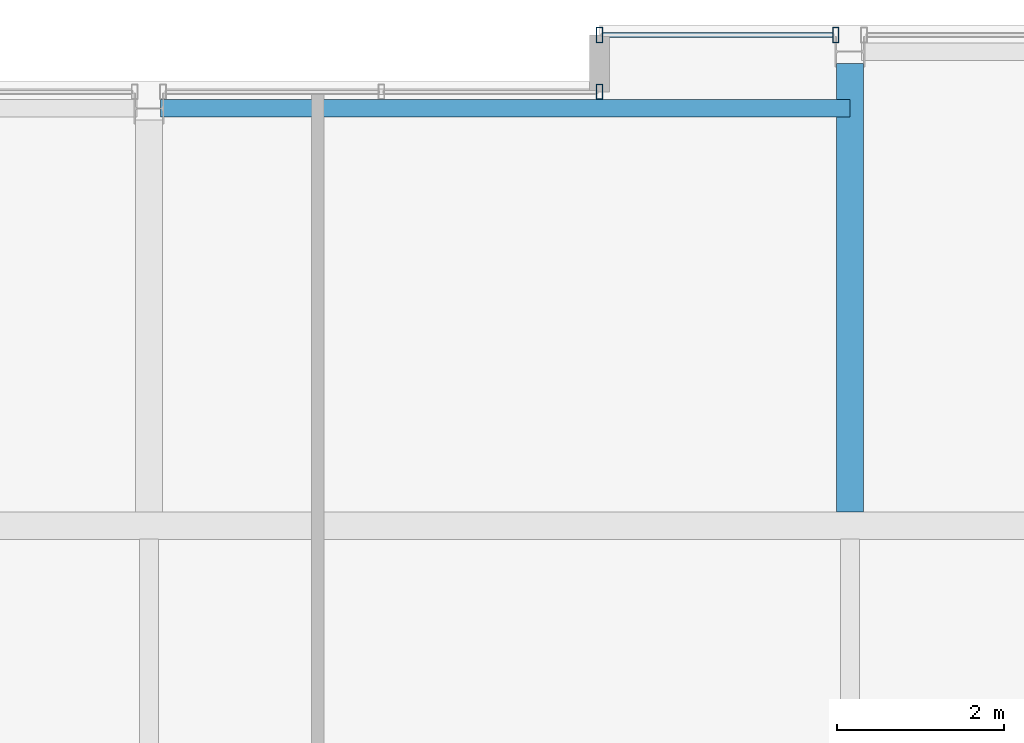
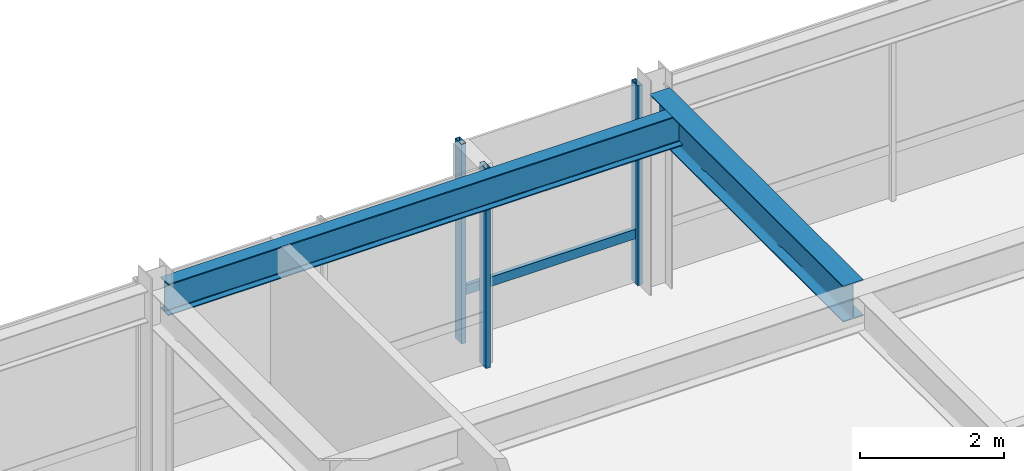
# One storey, part 24 of 33: 4 members, 2 beams, 2 elements without a shape of their own.
"""IFC4 building model written with IfcOpenShell, lengths in metres."""

from ifc_helpers import new_model, si_unit, direction, frame, origin, origin_2d, place, context, subcontext, project, spatial, hollow_rectangle, i_section, extrude, material, layer, layer_set, material_profile, profile_set, type_object, element, aggregate, save


model = new_model("IFC4")

# Units and contexts
model_context = context("Model", 3, precision=1e-05, world=origin(), true_north=direction((0.0, 1.0)))
body_context = subcontext(model_context, "Body", "Model", "MODEL_VIEW")
ifc_project = project(units=[si_unit("LENGTHUNIT", "METRE"), si_unit("AREAUNIT", "SQUARE_METRE"), si_unit("VOLUMEUNIT", "CUBIC_METRE"), si_unit("PLANEANGLEUNIT", "RADIAN"), si_unit("MASSUNIT", "GRAM", prefix="KILO")], contexts=[model_context])

# Site, building, storey
site_placement = place(None, origin())
site = spatial("IfcSite", under=ifc_project, at=site_placement, CompositionType="ELEMENT")
building_placement = place(site_placement, origin())
building = spatial("IfcBuilding", under=site, at=building_placement, Name="Drelvath Grand Hotel", CompositionType="ELEMENT")
storey_placement = place(building_placement, frame((0.0, 0.0, 283.25)))
storey = spatial("IfcBuildingStorey", under=building, at=storey_placement, Name="L74", CompositionType="ELEMENT", Elevation=283.25)

# Curtain wall, member
ifc_material_1 = material(Name="Platinum-Mist Anodised Aluminium Frame", Category="aluminium")
ifc_layer = layer(ifc_material_1, 0.199951171875)
ifc_layer_set = layer_set([ifc_layer], Name="Platinum-Mist Anodised Aluminium Frame")
curtain_wall_type = type_object("IfcCurtainWallType", Name="Stick Curtain Wall CW-05 Platinum Mist High-Rise", PredefinedType="NOTDEFINED", material=ifc_layer_set)
curtain_wall_1_placement = place(storey_placement, origin())
curtain_wall_1 = element("IfcCurtainWall", 1, at=curtain_wall_1_placement, inside=storey, type_object=curtain_wall_type, Name="L74 CW-05 Curtain Wall CW05-L74-NE1", PredefinedType="NOTDEFINED")
ifc_material_profile_1 = material_profile(ifc_material_1, hollow_rectangle(XDim=0.06494140625, YDim=0.159912109375, WallThickness=0.00390625, at=origin_2d()), Name="HSS160X65X4")
ifc_profile_set_1 = profile_set([ifc_material_profile_1], Name="Platinum-Mist Anodised Aluminium Frame")
member_type_1 = type_object("IfcMemberType", Name="Curtain Wall Horizontal Transom CW-05 HSS160X65X4", PredefinedType="USERDEFINED", material=ifc_profile_set_1)
member_1_placement = place(storey_placement, frame((5.43994140625, 49.080078125, 0.847412109375), z_axis=(1.0, 0.0, 0.0), x_axis=(0.0, 1.0, 0.0)))
member_1 = element("IfcMember", 2, at=member_1_placement, type_object=member_type_1, Name="CW05-L74-NE1 Sill Transom", ObjectType="TRANSOM", PredefinedType="USERDEFINED", context=body_context, shape_type="SweptSolid", body=[
    extrude(hollow_rectangle(XDim=0.06494140625, YDim=0.159912109375, WallThickness=0.00390625, at=origin_2d()), origin(), (0.0, 0.0, 1.0), 2.75),
])

curtain_wall_2_placement = place(storey_placement, origin())
curtain_wall_2 = element("IfcCurtainWall", 3, at=curtain_wall_2_placement, inside=storey, type_object=curtain_wall_type, Name="L74 CW-05 Curtain Wall CW05-L74-NM2", PredefinedType="NOTDEFINED")
ifc_material_profile_2 = material_profile(ifc_material_1, hollow_rectangle(XDim=0.074951171875, YDim=0.179931640625, WallThickness=0.0048828125, at=origin_2d()), Name="HSS180X75X5")
ifc_profile_set_2 = profile_set([ifc_material_profile_2], Name="Platinum-Mist Anodised Aluminium Frame")
member_type_2 = type_object("IfcMemberType", Name="Curtain Wall Vertical Mullion CW-05 HSS180X75X5", PredefinedType="MULLION", material=ifc_profile_set_2)
member_2_placement = place(storey_placement, frame((5.39990234375, 48.39990234375, 0.0), z_axis=(0.0, 0.0, 1.0), x_axis=(1.0, 0.0, 0.0)))
member_2 = element("IfcMember", 4, at=member_2_placement, type_object=member_type_2, Name="CW05-L74-NM2 Mullion 3", PredefinedType="MULLION", context=body_context, shape_type="SweptSolid", body=[
    extrude(hollow_rectangle(XDim=0.074951171875, YDim=0.179931640625, WallThickness=0.0048828125, at=origin_2d()), origin(), (0.0, 0.0, 1.0), 3.389892578125),
])
aggregate(curtain_wall_2, [member_2])

# Member
member_3_placement = place(storey_placement, frame((5.39990234375, 49.080078125, 0.0), z_axis=(0.0, 0.0, 1.0), x_axis=(1.0, 0.0, 0.0)))
member_3 = element("IfcMember", 5, at=member_3_placement, type_object=member_type_2, Name="CW05-L74-NE1 Mullion 1", PredefinedType="MULLION", context=body_context, shape_type="SweptSolid", body=[
    extrude(hollow_rectangle(XDim=0.074951171875, YDim=0.179931640625, WallThickness=0.0048828125, at=origin_2d()), origin(), (0.0, 0.0, 1.0), 3.389892578125),
])

member_4_placement = place(storey_placement, frame((8.22998046875, 49.080078125, 0.0), z_axis=(0.0, 0.0, 1.0), x_axis=(1.0, 0.0, 0.0)))
member_4 = element("IfcMember", 6, at=member_4_placement, type_object=member_type_2, Name="CW05-L74-NE1 Mullion 2", PredefinedType="MULLION", context=body_context, shape_type="SweptSolid", body=[
    extrude(hollow_rectangle(XDim=0.074951171875, YDim=0.179931640625, WallThickness=0.0048828125, at=origin_2d()), origin(), (0.0, 0.0, 1.0), 3.389892578125),
])

aggregate(curtain_wall_1, [member_3, member_4, member_1])

# Beams
ifc_material_2 = material(Name="Steel ASTM A992 Gr 50", Category="steel")
ifc_material_profile_3 = material_profile(ifc_material_2, i_section(OverallWidth=0.210205078125, OverallDepth=0.53662109375, WebThickness=0.010986328125, FlangeThickness=0.017333984375, FilletRadius=0.01806640625, at=origin_2d()), Name="W21X68")
ifc_profile_set_3 = profile_set([ifc_material_profile_3], Name="Steel ASTM A992 Gr 50")
beam_type_1 = type_object("IfcBeamType", Name="Perimeter Spandrel Beam W21X68", PredefinedType="SPANDREL", material=ifc_profile_set_3)
beam_1_placement = place(storey_placement, frame((0.139892578125, 48.199951171875, 3.12158203125), z_axis=(1.0, 0.0, 0.0), x_axis=(0.0, 1.0, 0.0)))
element("IfcBeam", 7, at=beam_1_placement, inside=storey, type_object=beam_type_1, Name="L74 Spandrel North Mid E", PredefinedType="SPANDREL", context=body_context, shape_type="SweptSolid", body=[
    extrude(i_section(OverallWidth=0.210205078125, OverallDepth=0.53662109375, WebThickness=0.010986328125, FlangeThickness=0.017333984375, FilletRadius=0.01806640625, at=origin_2d()), origin(), (0.0, 0.0, 1.0), 8.260009765625),
])
ifc_material_profile_4 = material_profile(ifc_material_2, i_section(OverallWidth=0.323974609375, OverallDepth=0.611083984375, WebThickness=0.0126953125, FlangeThickness=0.01904296875, FilletRadius=0.02197265625, at=origin_2d()), Name="W24X104")
ifc_profile_set_4 = profile_set([ifc_material_profile_4], Name="Steel ASTM A992 Gr 50")
beam_type_2 = type_object("IfcBeamType", Name="Primary Floor Girder W24X104", PredefinedType="BEAM", material=ifc_profile_set_4)
beam_2_placement = place(storey_placement, frame((8.39990234375, 43.362060546875, 3.08447265625), z_axis=(0.0, 1.0, 0.0), x_axis=(-1.0, 0.0, 0.0)))
element("IfcBeam", 8, at=beam_2_placement, inside=storey, type_object=beam_type_2, Name="L74 North Wing Girder 6", PredefinedType="BEAM", context=body_context, shape_type="SweptSolid", body=[
    extrude(i_section(OverallWidth=0.323974609375, OverallDepth=0.611083984375, WebThickness=0.0126953125, FlangeThickness=0.01904296875, FilletRadius=0.02197265625, at=origin_2d()), origin(), (0.0, 0.0, 1.0), 5.3779296875),
])

save(model, "model.ifc")
